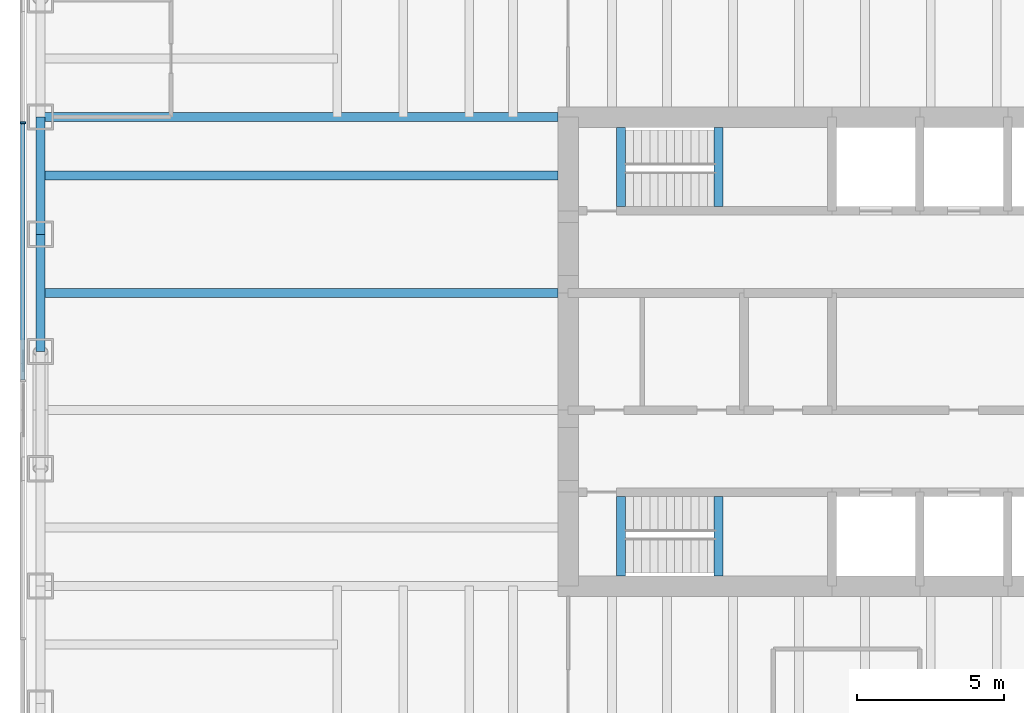
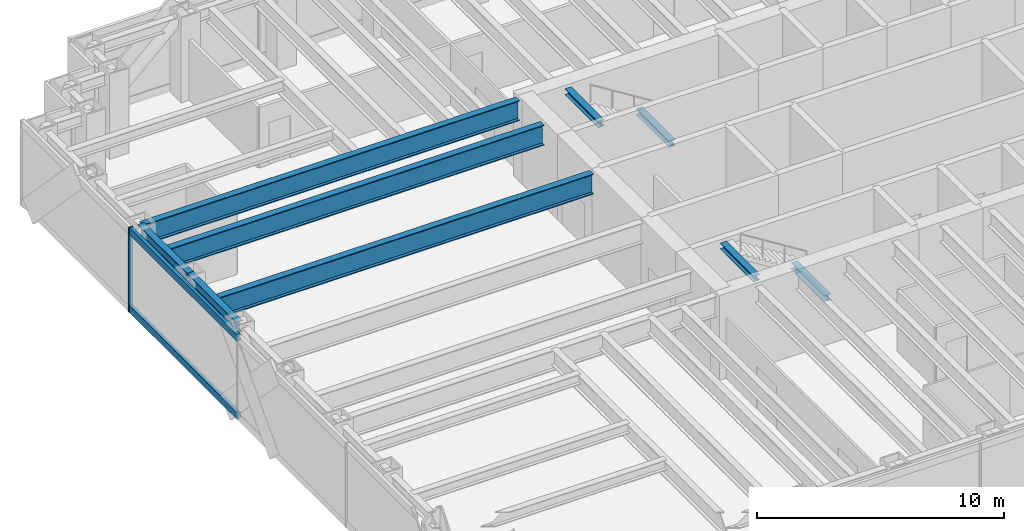
# One storey, part 3 of 15: 9 beams, 3 members, 1 element without a shape of its own.
"""IFC4 building model written with IfcOpenShell, lengths in metres."""

from ifc_helpers import new_model, si_unit, direction, frame, origin, origin_2d, place, context, subcontext, project, spatial, rectangle, i_section, extrude, material, material_profile, profile_set, type_object, element, aggregate, save


model = new_model("IFC4")

# Units and contexts
model_context = context("Model", 3, precision=1e-05, world=origin(), true_north=direction((0.0, 1.0)))
body_context = subcontext(model_context, "Body", "Model", "MODEL_VIEW")
ifc_project = project(units=[si_unit("LENGTHUNIT", "METRE"), si_unit("AREAUNIT", "SQUARE_METRE"), si_unit("VOLUMEUNIT", "CUBIC_METRE"), si_unit("PLANEANGLEUNIT", "RADIAN"), si_unit("MASSUNIT", "GRAM", prefix="KILO")], contexts=[model_context])

# Site, building, storey
site_placement = place(None, origin())
site = spatial("IfcSite", under=ifc_project, at=site_placement, CompositionType="ELEMENT")
building_placement = place(site_placement, origin())
building = spatial("IfcBuilding", under=site, at=building_placement, Name="Rheinbord Bourse Tower", CompositionType="ELEMENT")
storey_placement = place(building_placement, frame((0.0, 0.0, 275.300048828125)))
storey = spatial("IfcBuildingStorey", under=building, at=storey_placement, Name="L62", CompositionType="ELEMENT", Elevation=275.300048828125)

# Curtain wall, members
ifc_material_1 = material(Name="Dark glass and black aluminium", Category="aluminium")
curtain_wall_type = type_object("IfcCurtainWallType", Name="CW3 DARK GLASS CURTAIN WALL", PredefinedType="USERDEFINED", material=ifc_material_1)
curtain_wall_placement = place(storey_placement, origin())
curtain_wall = element("IfcCurtainWall", 1, at=curtain_wall_placement, inside=storey, type_object=curtain_wall_type, Name="Curtain wall CW3 W L62", ObjectType="UNITISED CURTAIN WALL", PredefinedType="USERDEFINED")
ifc_material_2 = material(Name="Black anodised aluminium", Category="aluminium")
ifc_material_profile_1 = material_profile(ifc_material_2, rectangle(XDim=0.199951171875, YDim=0.06494140625, at=origin_2d()), Name="CW3 MULLION 65x200")
ifc_profile_set_1 = profile_set([ifc_material_profile_1], Name="Black anodised aluminium")
member_type_1 = type_object("IfcMemberType", Name="CW3 BLACK MULLION", PredefinedType="MULLION", material=ifc_profile_set_1)
member_1_placement = place(storey_placement, frame((-0.60009765625, 31.800048828125, 0.0), z_axis=(0.0, 0.0, 1.0), x_axis=(1.0, 0.0, 0.0)))
member_1 = element("IfcMember", 2, at=member_1_placement, type_object=member_type_1, Name="CW3 mullion 2", PredefinedType="MULLION", context=body_context, shape_type="SweptSolid", body=[
    extrude(rectangle(XDim=0.199951171875, YDim=0.06494140625, at=origin_2d()), origin(), (0.0, 0.0, 1.0), 4.199951171875),
])
ifc_material_3 = material(Name="Black anodised aluminium", Category="aluminium")
ifc_material_profile_2 = material_profile(ifc_material_3, rectangle(XDim=0.14990234375, YDim=0.35009765625, at=origin_2d()), Name="CW3 TRANSOM 350x150")
ifc_profile_set_2 = profile_set([ifc_material_profile_2], Name="Black anodised aluminium")
member_type_2 = type_object("IfcMemberType", Name="CW3 BLACK TRANSOM", PredefinedType="USERDEFINED", material=ifc_profile_set_2)
member_2_placement = place(storey_placement, frame((-0.60009765625, 31.767578125, 0.175048828125), z_axis=(0.0, -1.0, 0.0), x_axis=(1.0, 0.0, 0.0)))
member_2 = element("IfcMember", 3, at=member_2_placement, type_object=member_type_2, Name="CW3 transom 2.1", ObjectType="TRANSOM", PredefinedType="USERDEFINED", context=body_context, shape_type="SweptSolid", body=[
    extrude(rectangle(XDim=0.14990234375, YDim=0.35009765625, at=origin_2d()), origin(), (0.0, 0.0, 1.0), 8.735107421875),
])
member_3_placement = place(storey_placement, frame((-0.60009765625, 31.767578125, 4.02490234375), z_axis=(0.0, -1.0, 0.0), x_axis=(1.0, 0.0, 0.0)))
member_3 = element("IfcMember", 4, at=member_3_placement, type_object=member_type_2, Name="CW3 transom 2.2", ObjectType="TRANSOM", PredefinedType="USERDEFINED", context=body_context, shape_type="SweptSolid", body=[
    extrude(rectangle(XDim=0.14990234375, YDim=0.35009765625, at=origin_2d()), origin(), (0.0, 0.0, 1.0), 8.735107421875),
])
aggregate(curtain_wall, [member_1, member_2, member_3])

# Beams
ifc_material_4 = material(Name="Steel S460", Category="steel")
ifc_material_profile_3 = material_profile(ifc_material_4, i_section(OverallWidth=0.302001953125, OverallDepth=1.008056640625, WebThickness=0.02099609375, FlangeThickness=0.0400390625, at=origin_2d()), Name="HEM 1000")
ifc_profile_set_3 = profile_set([ifc_material_profile_3], Name="Steel S460")
beam_type_1 = type_object("IfcBeamType", Name="END BEAM HEM 1000", PredefinedType="BEAM", material=ifc_profile_set_3)
for number, where, z_axis, x_axis, name in (
    (5, (0.0, 26.0, 3.535888671875), (1.0, 0.0, 0.0), (0.0, 1.0, 0.0), "End beam west 26 L63"),
    (6, (0.0, 30.0, 3.535888671875), (1.0, 0.0, 0.0), (0.0, 1.0, 0.0), "End beam west 30 L63"),
):
    element("IfcBeam", number, at=place(storey_placement, frame(where, z_axis=z_axis, x_axis=x_axis)), inside=storey, type_object=beam_type_1, Name=name, PredefinedType="BEAM", context=body_context, shape_type="SweptSolid", body=[
        extrude(i_section(OverallWidth=0.302001953125, OverallDepth=1.008056640625, WebThickness=0.02099609375, FlangeThickness=0.0400390625, at=origin_2d()), origin(), (0.0, 0.0, 1.0), 17.64990234375),
    ])
ifc_material_5 = material(Name="Steel S460", Category="steel")
ifc_material_profile_4 = material_profile(ifc_material_5, i_section(OverallWidth=0.302001953125, OverallDepth=1.008056640625, WebThickness=0.02099609375, FlangeThickness=0.0400390625, at=origin_2d()), Name="HEM 1000")
ifc_profile_set_4 = profile_set([ifc_material_profile_4], Name="Steel S460")
beam_type_2 = type_object("IfcBeamType", Name="GIRDER HEM 1000", PredefinedType="BEAM", material=ifc_profile_set_4)
beam_placement = place(storey_placement, frame((0.0, 32.0, 3.535888671875), z_axis=(1.0, 0.0, 0.0), x_axis=(0.0, 1.0, 0.0)))
element("IfcBeam", 7, at=beam_placement, inside=storey, type_object=beam_type_2, Name="Girder west 32 L63", PredefinedType="BEAM", context=body_context, shape_type="SweptSolid", body=[
    extrude(i_section(OverallWidth=0.302001953125, OverallDepth=1.008056640625, WebThickness=0.02099609375, FlangeThickness=0.0400390625, at=origin_2d()), origin(), (0.0, 0.0, 1.0), 17.64990234375),
])
ifc_material_6 = material(Name="Steel S460", Category="steel")
ifc_material_profile_5 = material_profile(ifc_material_6, i_section(OverallWidth=0.300048828125, OverallDepth=0.300048828125, WebThickness=0.010986328125, FlangeThickness=0.01904296875, at=origin_2d()), Name="HEB 300")
ifc_profile_set_5 = profile_set([ifc_material_profile_5], Name="Steel S460")
beam_type_3 = type_object("IfcBeamType", Name="LANDING TRIMMER HEB 300", PredefinedType="BEAM", material=ifc_profile_set_5)
for number, where, z_axis, x_axis, name in (
    (8, (23.1298828125, 16.35009765625, 1.75), (0.0, 1.0, 0.0), (-1.0, 0.0, 0.0), "Landing trimmer ST1 L62"),
    (9, (19.800048828125, 16.35009765625, 3.889892578125), (0.0, 1.0, 0.0), (-1.0, 0.0, 0.0), "Well trimmer ST1 under L63"),
    (10, (23.1298828125, 28.949951171875, 1.75), (0.0, 1.0, 0.0), (-1.0, 0.0, 0.0), "Landing trimmer ST2 L62"),
    (11, (19.800048828125, 28.949951171875, 3.889892578125), (0.0, 1.0, 0.0), (-1.0, 0.0, 0.0), "Well trimmer ST2 under L63"),
):
    element("IfcBeam", number, at=place(storey_placement, frame(where, z_axis=z_axis, x_axis=x_axis)), inside=storey, type_object=beam_type_3, Name=name, PredefinedType="BEAM", context=body_context, shape_type="SweptSolid", body=[
        extrude(i_section(OverallWidth=0.300048828125, OverallDepth=0.300048828125, WebThickness=0.010986328125, FlangeThickness=0.01904296875, at=origin_2d()), origin(), (0.0, 0.0, 1.0), 2.699951171875),
    ])
ifc_material_7 = material(Name="Steel S460", Category="steel")
ifc_material_profile_6 = material_profile(ifc_material_7, i_section(OverallWidth=0.300048828125, OverallDepth=0.550048828125, WebThickness=0.014892578125, FlangeThickness=0.029052734375, at=origin_2d()), Name="HEB 550")
ifc_profile_set_6 = profile_set([ifc_material_profile_6], Name="Steel S460")
beam_type_4 = type_object("IfcBeamType", Name="SPANDREL HEB 550", PredefinedType="SPANDREL", material=ifc_profile_set_6)
for number, where, z_axis, x_axis, name in (
    (12, (0.0, 32.0, 3.764892578125), (0.0, -1.0, 0.0), (1.0, 0.0, 0.0), "Spandrel W-32-W-28 under L63"),
    (13, (0.0, 28.0, 3.764892578125), (0.0, -1.0, 0.0), (1.0, 0.0, 0.0), "Spandrel W-28-W-24 under L63"),
):
    element("IfcBeam", number, at=place(storey_placement, frame(where, z_axis=z_axis, x_axis=x_axis)), inside=storey, type_object=beam_type_4, Name=name, PredefinedType="SPANDREL", context=body_context, shape_type="SweptSolid", body=[
        extrude(i_section(OverallWidth=0.300048828125, OverallDepth=0.550048828125, WebThickness=0.014892578125, FlangeThickness=0.029052734375, at=origin_2d()), origin(), (0.0, 0.0, 1.0), 4.0),
    ])

save(model, "model.ifc")
